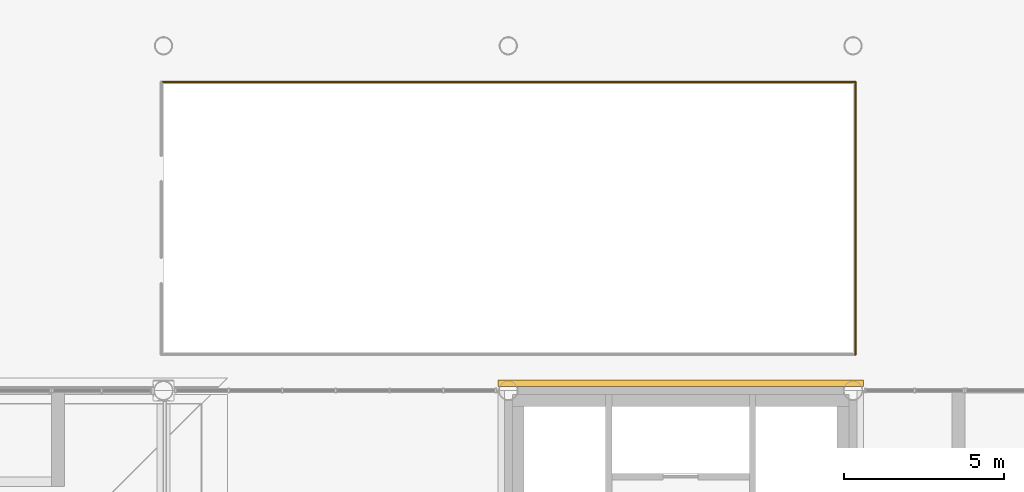
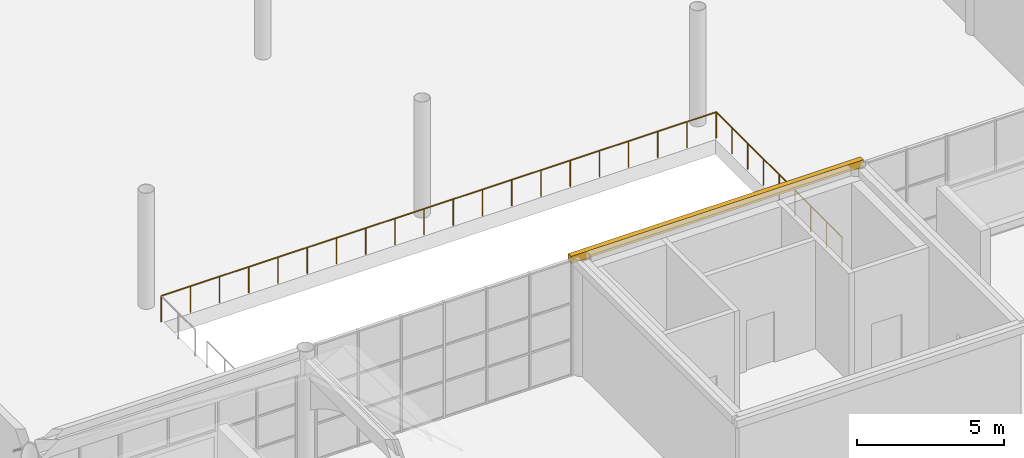
# One storey, part 81 of 91: 2 railings, 1 covering.
"""IFC4 building model written with IfcOpenShell, lengths in metres."""

from ifc_helpers import new_model, si_unit, direction, frame, origin, origin_2d, place, context, subcontext, project, spatial, rectangle, circle, extrude, material, layer, layer_set, type_object, element, save


model = new_model("IFC4")

# Units and contexts
model_context = context("Model", 3, precision=1e-05, world=origin(), true_north=direction((0.0, 1.0)))
body_context = subcontext(model_context, "Body", "Model", "MODEL_VIEW")
ifc_project = project(units=[si_unit("LENGTHUNIT", "METRE"), si_unit("AREAUNIT", "SQUARE_METRE"), si_unit("VOLUMEUNIT", "CUBIC_METRE"), si_unit("PLANEANGLEUNIT", "RADIAN"), si_unit("MASSUNIT", "GRAM", prefix="KILO")], contexts=[model_context])

# Site, building, storey
site_placement = place(None, origin())
site = spatial("IfcSite", under=ifc_project, at=site_placement, CompositionType="ELEMENT")
building_placement = place(site_placement, origin())
building = spatial("IfcBuilding", under=site, at=building_placement, Name="Magnolia Steps Interchange", CompositionType="ELEMENT")
storey_placement = place(building_placement, origin())
storey = spatial("IfcBuildingStorey", under=building, at=storey_placement, Name="L00", CompositionType="ELEMENT", Elevation=0.0)

# Covering
ifc_material_1 = material(Name="Lime render")
ifc_layer = layer(ifc_material_1, 0.199951171875)
ifc_layer_set = layer_set([ifc_layer], Name="Lime render cornice")
covering_type = type_object("IfcCoveringType", Name="Lime render cornice", PredefinedType="CLADDING", material=ifc_layer_set)
covering_placement = place(storey_placement, frame((91.0, 42.625, 4.5), z_axis=(0.0, 0.0, 1.0), x_axis=(1.0, 0.0, 0.0)))
element("IfcCovering", 1, at=covering_placement, inside=storey, type_object=covering_type, Name="Cornice BC2 N", PredefinedType="CLADDING", context=body_context, shape_type="SweptSolid", body=[
    extrude(rectangle(XDim=11.449951171875, YDim=0.199951171875, at=origin_2d()), origin(), (0.0, 0.0, 1.0), 0.300048828125),
])

# Railings
ifc_material_2 = material(Name="Stainless steel grade 304", Category="steel")
railing_type = type_object("IfcRailingType", Name="Void edge guard 1100", PredefinedType="GUARDRAIL", material=ifc_material_2)
railing_1_placement = place(storey_placement, frame((74.72998046875, 52.070068359375, 0.0)))
element("IfcRailing", 2, at=railing_1_placement, inside=storey, type_object=railing_type, Name="L00 void edge guard EV1 5", PredefinedType="GUARDRAIL", context=body_context, shape_type="SweptSolid", body=[
    extrude(circle(Radius=0.02392578125, at=origin_2d()), frame((0.0, 0.0, 1.076171875), z_axis=(1.0, 0.0, 0.0), x_axis=(0.0, 1.0, 0.0)), (0.0, 0.0, 1.0), 21.739990234375),
    extrude(circle(Radius=0.02099609375, at=origin_2d()), origin(), (0.0, 0.0, 1.0), 1.052001953125),
    extrude(circle(Radius=0.02099609375, at=origin_2d()), frame((1.144287109375, 0.0, 0.0)), (0.0, 0.0, 1.0), 1.052001953125),
    extrude(circle(Radius=0.02099609375, at=origin_2d()), frame((2.288330078125, 0.0, 0.0)), (0.0, 0.0, 1.0), 1.052001953125),
    extrude(circle(Radius=0.02099609375, at=origin_2d()), frame((3.4326171875, 0.0, 0.0)), (0.0, 0.0, 1.0), 1.052001953125),
    extrude(circle(Radius=0.02099609375, at=origin_2d()), frame((4.576904296875, 0.0, 0.0)), (0.0, 0.0, 1.0), 1.052001953125),
    extrude(circle(Radius=0.02099609375, at=origin_2d()), frame((5.720947265625, 0.0, 0.0)), (0.0, 0.0, 1.0), 1.052001953125),
    extrude(circle(Radius=0.02099609375, at=origin_2d()), frame((6.865234375, 0.0, 0.0)), (0.0, 0.0, 1.0), 1.052001953125),
    extrude(circle(Radius=0.02099609375, at=origin_2d()), frame((8.009521484375, 0.0, 0.0)), (0.0, 0.0, 1.0), 1.052001953125),
    extrude(circle(Radius=0.02099609375, at=origin_2d()), frame((9.153564453125, 0.0, 0.0)), (0.0, 0.0, 1.0), 1.052001953125),
    extrude(circle(Radius=0.02099609375, at=origin_2d()), frame((10.2978515625, 0.0, 0.0)), (0.0, 0.0, 1.0), 1.052001953125),
    extrude(circle(Radius=0.02099609375, at=origin_2d()), frame((11.442138671875, 0.0, 0.0)), (0.0, 0.0, 1.0), 1.052001953125),
    extrude(circle(Radius=0.02099609375, at=origin_2d()), frame((12.58642578125, 0.0, 0.0)), (0.0, 0.0, 1.0), 1.052001953125),
    extrude(circle(Radius=0.02099609375, at=origin_2d()), frame((13.73046875, 0.0, 0.0)), (0.0, 0.0, 1.0), 1.052001953125),
    extrude(circle(Radius=0.02099609375, at=origin_2d()), frame((14.874755859375, 0.0, 0.0)), (0.0, 0.0, 1.0), 1.052001953125),
    extrude(circle(Radius=0.02099609375, at=origin_2d()), frame((16.01904296875, 0.0, 0.0)), (0.0, 0.0, 1.0), 1.052001953125),
    extrude(circle(Radius=0.02099609375, at=origin_2d()), frame((17.1630859375, 0.0, 0.0)), (0.0, 0.0, 1.0), 1.052001953125),
    extrude(circle(Radius=0.02099609375, at=origin_2d()), frame((18.307373046875, 0.0, 0.0)), (0.0, 0.0, 1.0), 1.052001953125),
    extrude(circle(Radius=0.02099609375, at=origin_2d()), frame((19.45166015625, 0.0, 0.0)), (0.0, 0.0, 1.0), 1.052001953125),
    extrude(circle(Radius=0.02099609375, at=origin_2d()), frame((20.595703125, 0.0, 0.0)), (0.0, 0.0, 1.0), 1.052001953125),
    extrude(circle(Radius=0.02099609375, at=origin_2d()), frame((21.739990234375, 0.0, 0.0)), (0.0, 0.0, 1.0), 1.052001953125),
])
railing_2_placement = place(storey_placement, frame((96.469970703125, 52.070068359375, 0.0)))
element("IfcRailing", 3, at=railing_2_placement, inside=storey, type_object=railing_type, Name="L00 void edge guard EV1 6", PredefinedType="GUARDRAIL", context=body_context, shape_type="SweptSolid", body=[
    extrude(circle(Radius=0.02392578125, at=origin_2d()), frame((0.0, 0.0, 1.076171875), z_axis=(0.0, -1.0, 0.0), x_axis=(1.0, 0.0, 0.0)), (0.0, 0.0, 1.0), 8.5400390625),
    extrude(circle(Radius=0.02099609375, at=origin_2d()), origin(), (0.0, 0.0, 1.0), 1.052001953125),
    extrude(circle(Radius=0.02099609375, at=origin_2d()), frame((0.0, -1.0673828125, 0.0)), (0.0, 0.0, 1.0), 1.052001953125),
    extrude(circle(Radius=0.02099609375, at=origin_2d()), frame((0.0, -2.135009765625, 0.0)), (0.0, 0.0, 1.0), 1.052001953125),
    extrude(circle(Radius=0.02099609375, at=origin_2d()), frame((0.0, -3.20263671875, 0.0)), (0.0, 0.0, 1.0), 1.052001953125),
    extrude(circle(Radius=0.02099609375, at=origin_2d()), frame((0.0, -4.27001953125, 0.0)), (0.0, 0.0, 1.0), 1.052001953125),
    extrude(circle(Radius=0.02099609375, at=origin_2d()), frame((0.0, -5.33740234375, 0.0)), (0.0, 0.0, 1.0), 1.052001953125),
    extrude(circle(Radius=0.02099609375, at=origin_2d()), frame((0.0, -6.405029296875, 0.0)), (0.0, 0.0, 1.0), 1.052001953125),
    extrude(circle(Radius=0.02099609375, at=origin_2d()), frame((0.0, -7.47265625, 0.0)), (0.0, 0.0, 1.0), 1.052001953125),
    extrude(circle(Radius=0.02099609375, at=origin_2d()), frame((0.0, -8.5400390625, 0.0)), (0.0, 0.0, 1.0), 1.052001953125),
])

save(model, "model.ifc")
